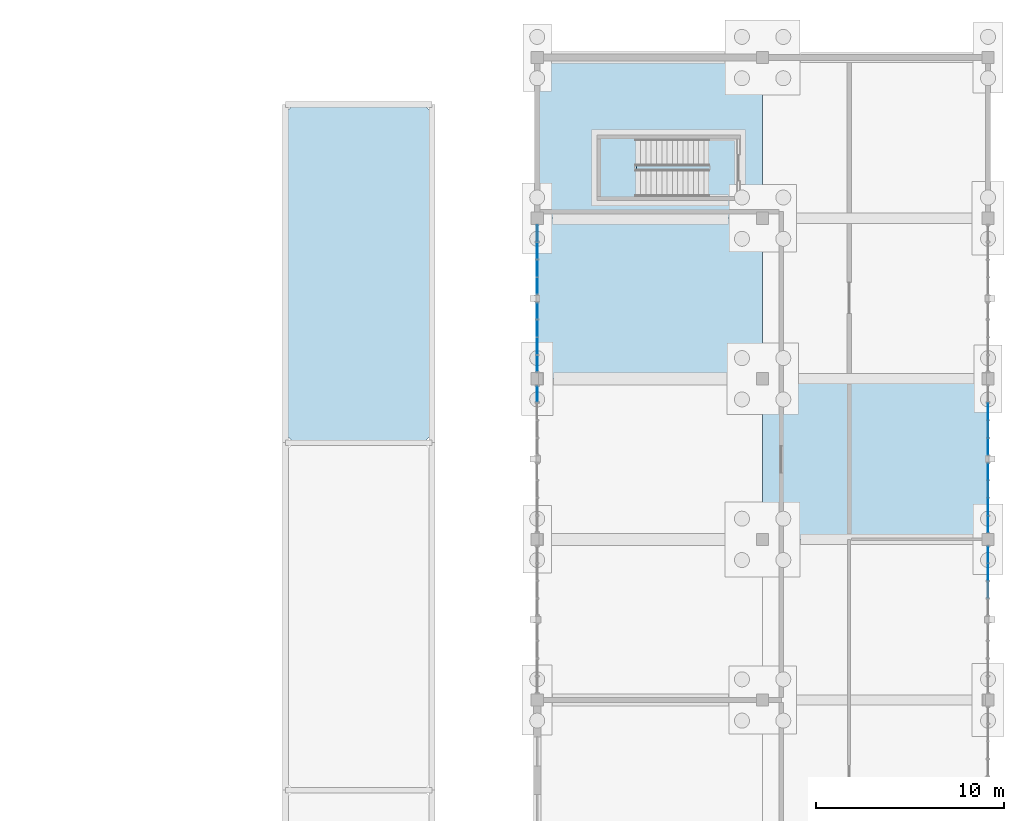
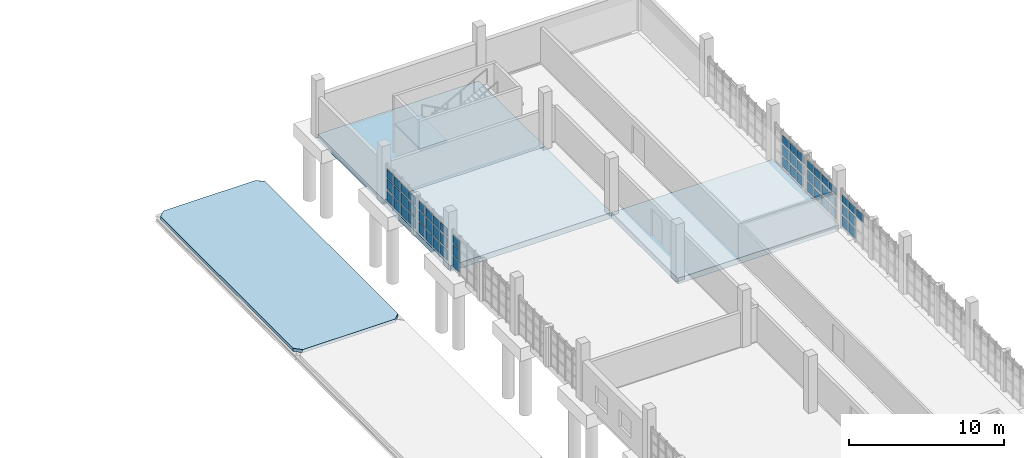
# One storey, part 93 of 125: 55 plates, 5 slabs, 7 elements without a shape of their own.
"""IFC4 building model written with IfcOpenShell, lengths in metres."""

import ifcopenshell
import ifcopenshell.guid

model = None  # the IFC model being written
_history = None  # IfcOwnerHistory: only IFC2X3 demands one
_inside = {}  # id of a spatial element -> (the spatial element, [elements in it])
_under = {}  # id of a project, library or spatial element -> (it, [spatial elements below it])
_declared = {}  # id of a project -> (the project, [libraries it declares])
_typed = {}  # id of a type object -> (the type object, [elements of that type])
_made_of = {}  # id of a material, layer set ... -> (it, [elements and type objects made of it])


def new_model(schema):
    """Start an empty IFC model of exactly this schema.

    Asked for "IFC4X3", IfcOpenShell would pick the latest addendum, in which some entities
    have other attributes; the version numbers below select the first issue.
    IFC2X3 requires an IfcOwnerHistory on every rooted entity: one is made here for all.
    """
    global model, _history
    if schema == "IFC4X3":
        model = ifcopenshell.file(schema_version=(4, 3, 0, 0))
    else:
        model = ifcopenshell.file(schema=schema)
    _inside.clear()
    _under.clear()
    _declared.clear()
    _typed.clear()
    _made_of.clear()
    _history = None
    if model.schema == "IFC2X3":
        org = make("IfcOrganization", Name="unknown")
        user = make(
            "IfcPersonAndOrganization",
            ThePerson=make("IfcPerson", FamilyName="unknown"),
            TheOrganization=org,
        )
        app = make(
            "IfcApplication",
            ApplicationDeveloper=org,
            Version="unknown",
            ApplicationFullName="unknown",
            ApplicationIdentifier="unknown",
        )
        _history = make(
            "IfcOwnerHistory",
            OwningUser=user,
            OwningApplication=app,
            ChangeAction="ADDED",
            CreationDate=0,
        )
    return model


def make(cls, **values):
    """One entity of the class cls with the attributes given. An attribute that is None is left unset."""
    return model.create_entity(
        cls, **{name: value for name, value in values.items() if value is not None}
    )


def rooted(cls, **values):
    """An entity with a GlobalId (a new one), such as an element, a storey or a relation."""
    return make(cls, GlobalId=ifcopenshell.guid.new(), OwnerHistory=_history, **values)


def si_unit(unit_type, name, prefix=None):
    """IfcSIUnit, for example si_unit("LENGTHUNIT", "METRE", prefix="MILLI")."""
    return make("IfcSIUnit", UnitType=unit_type, Prefix=prefix, Name=name)


def assignment(units):
    """IfcUnitAssignment: the units of a project."""
    return None if units is None else make("IfcUnitAssignment", Units=units)


def point(xyz):
    """IfcCartesianPoint."""
    return None if xyz is None else make("IfcCartesianPoint", Coordinates=xyz)


def direction(xyz):
    """IfcDirection."""
    return None if xyz is None else make("IfcDirection", DirectionRatios=xyz)


def frame(location, z_axis=None, x_axis=None):
    """IfcAxis2Placement3D, a coordinate frame: its origin and axes. An axis left out is left unset."""
    return make(
        "IfcAxis2Placement3D",
        Location=point(location),
        Axis=direction(z_axis),
        RefDirection=direction(x_axis),
    )


def frame_2d(location, x_axis=None):
    """IfcAxis2Placement2D, a coordinate frame in the plane: its origin and x axis."""
    return make(
        "IfcAxis2Placement2D", Location=point(location), RefDirection=direction(x_axis)
    )


def origin():
    """The frame at (0, 0, 0) with its axes left unset."""
    return frame((0.0, 0.0, 0.0))


def origin_2d():
    """The frame at (0, 0) in the plane with its x axis left unset."""
    return frame_2d((0.0, 0.0))


def place(relative_to, where):
    """IfcLocalPlacement: puts the frame where relative to a parent placement (None: the world)."""
    return make(
        "IfcLocalPlacement", PlacementRelTo=relative_to, RelativePlacement=where
    )


def context(
    kind, dimensions, precision=None, world=None, true_north=None, identifier=None
):
    """IfcGeometricRepresentationContext, for example the 3D "Model" context."""
    return make(
        "IfcGeometricRepresentationContext",
        ContextIdentifier=identifier,
        ContextType=kind,
        CoordinateSpaceDimension=dimensions,
        Precision=precision,
        WorldCoordinateSystem=world,
        TrueNorth=true_north,
    )


def subcontext(parent, identifier, kind, view, scale=None):
    """IfcGeometricRepresentationSubContext, for example "Body" below "Model"."""
    return make(
        "IfcGeometricRepresentationSubContext",
        ContextIdentifier=identifier,
        ContextType=kind,
        ParentContext=parent,
        TargetScale=scale,
        TargetView=view,
    )


def project(units=None, contexts=None):
    """IfcProject with its units and contexts."""
    return rooted(
        "IfcProject",
        Name="project",
        RepresentationContexts=contexts,
        UnitsInContext=assignment(units),
    )


def spatial(cls, under=None, at=None, **own):
    """A site, building, storey or space (cls), placed at a placement, below another one or the project."""
    s = rooted(cls, ObjectPlacement=at, **own)
    if under is not None:
        _under.setdefault(under.id(), (under, []))[1].append(s)
    return s


def polyline(points):
    """IfcPolyline through the points."""
    return make("IfcPolyline", Points=[point(p) for p in points])


def profile(cls, at=None, kind="AREA", **sizes):
    """A parametric profile (cls). Its sizes go by their IFC names, for example OverallWidth=200.0."""
    return make(cls, ProfileType=kind, Position=at, **sizes)


def rectangle(**sizes):
    """IfcRectangleProfileDef."""
    return profile("IfcRectangleProfileDef", **sizes)


def outline(outer, holes=None, kind="AREA"):
    """IfcArbitraryClosedProfileDef: a profile drawn as a closed curve; with holes, ...WithVoids."""
    if holes is None:
        return make("IfcArbitraryClosedProfileDef", ProfileType=kind, OuterCurve=outer)
    return make(
        "IfcArbitraryProfileDefWithVoids",
        ProfileType=kind,
        OuterCurve=outer,
        InnerCurves=holes,
    )


def extrude(swept, where, along, depth):
    """IfcExtrudedAreaSolid: the profile swept, set in the frame where, extruded along a direction by depth."""
    return make(
        "IfcExtrudedAreaSolid",
        SweptArea=swept,
        Position=where,
        ExtrudedDirection=direction(along),
        Depth=depth,
    )


def shape(context_of_items, identifier, shape_type, items):
    """IfcShapeRepresentation: the items that make up one representation, for example the "Body"."""
    return make(
        "IfcShapeRepresentation",
        ContextOfItems=context_of_items,
        RepresentationIdentifier=identifier,
        RepresentationType=shape_type,
        Items=items,
    )


def material(Name=None, Category=None):
    """IfcMaterial."""
    return make("IfcMaterial", Name=Name, Category=Category)


def layer(
    of_material, thickness, ventilated=None, Name=None, Category=None, Priority=None
):
    """IfcMaterialLayer: one layer of a wall or slab, of a material (None: an air gap)."""
    return make(
        "IfcMaterialLayer",
        Material=of_material,
        LayerThickness=thickness,
        IsVentilated=ventilated,
        Name=Name,
        Category=Category,
        Priority=Priority,
    )


def layer_set(layers, Name=None):
    """IfcMaterialLayerSet."""
    return make("IfcMaterialLayerSet", MaterialLayers=layers, LayerSetName=Name)


def made_of(thing, what):
    """Note that an element or type object is made of a material, layer set ...; save() writes the relation."""
    if what is not None:
        _made_of.setdefault(what.id(), (what, []))[1].append(thing)
    return thing


def type_object(cls, material=None, **own):
    """A type object (cls), such as IfcWallType, which elements share."""
    return made_of(rooted(cls, **own), material)


def element(
    cls,
    number,
    at=None,
    inside=None,
    cuts=None,
    type_object=None,
    material=None,
    context=None,
    identifier="Body",
    shape_type=None,
    held_by="IfcProductDefinitionShape",
    body=None,
    shapes=None,
    **own,
):
    """One element of the class cls, such as IfcWall. Its Tag is "e" and its number.

    at: its placement. inside: the storey or other place that contains it. cuts: it is an
    opening in that element (IfcRelVoidsElement). A single representation is given by context,
    identifier, shape_type and body (its items); several are given by shapes. held_by: the class
    of the entity that holds the representations. save() writes the other relations.
    """
    e = rooted(cls, Tag="e%d" % number, ObjectPlacement=at, **own)
    if body is not None:
        shapes = [shape(context, identifier, shape_type, body)]
    if shapes is not None:
        e.Representation = make(held_by, Representations=shapes)
    if inside is not None:
        _inside.setdefault(inside.id(), (inside, []))[1].append(e)
    if cuts is not None:
        rooted(
            "IfcRelVoidsElement", RelatingBuildingElement=cuts, RelatedOpeningElement=e
        )
    if type_object is not None:
        _typed.setdefault(type_object.id(), (type_object, []))[1].append(e)
    return made_of(e, material)


def aggregate(whole, parts):
    """IfcRelAggregates: a whole, such as a stair, and the parts it consists of."""
    return rooted("IfcRelAggregates", RelatingObject=whole, RelatedObjects=parts)


def save(model, path):
    """Write the relations noted so far, then the file.

    IfcRelAggregates (storeys below a building ...), IfcRelContainedInSpatialStructure (elements
    in a storey), IfcRelDefinesByType, IfcRelAssociatesMaterial and IfcRelDeclares: one each for
    every whole, place, type object, material and project.
    """
    for whole, parts in _under.values():
        aggregate(whole, parts)
    for where, things in _inside.values():
        rooted(
            "IfcRelContainedInSpatialStructure",
            RelatedElements=things,
            RelatingStructure=where,
        )
    for kind, things in _typed.values():
        rooted("IfcRelDefinesByType", RelatedObjects=things, RelatingType=kind)
    for what, things in _made_of.values():
        rooted("IfcRelAssociatesMaterial", RelatedObjects=things, RelatingMaterial=what)
    for by, libraries in _declared.values():
        rooted("IfcRelDeclares", RelatingContext=by, RelatedDefinitions=libraries)
    model.write(path)


model = new_model("IFC4")

# Units and contexts
model_context = context("Model", 3, precision=1e-05, world=origin(), true_north=direction((0.0, 1.0)))
body_context = subcontext(model_context, "Body", "Model", "MODEL_VIEW")
ifc_project = project(units=[si_unit("LENGTHUNIT", "METRE"), si_unit("AREAUNIT", "SQUARE_METRE"), si_unit("VOLUMEUNIT", "CUBIC_METRE"), si_unit("PLANEANGLEUNIT", "RADIAN"), si_unit("MASSUNIT", "GRAM", prefix="KILO")], contexts=[model_context])

# Site, building, storey
site_placement = place(None, origin())
site = spatial("IfcSite", under=ifc_project, at=site_placement, CompositionType="ELEMENT")
building_placement = place(site_placement, origin())
building = spatial("IfcBuilding", under=site, at=building_placement, Name="Serraforn Aerial Cableway Station", CompositionType="ELEMENT")
storey_placement = place(building_placement, frame((0.0, 0.0, 4.5)))
storey = spatial("IfcBuildingStorey", under=building, at=storey_placement, Name="L01", CompositionType="ELEMENT", Elevation=4.5)

# Curtain wall, plate
ifc_material_1 = material(Name="Anodised bronze unitised curtain wall")
curtain_wall_type_1 = type_object("IfcCurtainWallType", Name="CW-SYS-14", PredefinedType="USERDEFINED", material=ifc_material_1)
curtain_wall_1_placement = place(storey_placement, origin())
curtain_wall_1 = element("IfcCurtainWall", 1, at=curtain_wall_1_placement, inside=storey, type_object=curtain_wall_type_1, Name="Unitised Curtain Wall CW-EG-L01-E5B", ObjectType="UNITISED CURTAIN WALL", PredefinedType="USERDEFINED")
ifc_material_2 = material(Name="Solar-control low-E double glazing", Category="glass")
ifc_layer_1 = layer(ifc_material_2, 0.02587890625)
ifc_layer_set_1 = layer_set([ifc_layer_1], Name="Solar-control low-E double glazing")
plate_type_1 = type_object("IfcPlateType", Name="CW-GLZ-1", PredefinedType="CURTAIN_PANEL", material=ifc_layer_set_1)
plate_1_placement = place(storey_placement, frame((168.0, 86.617431640625, 0.177734375), z_axis=(0.0, 0.0, 1.0), x_axis=(1.0, 0.0, 0.0)))
plate_1 = element("IfcPlate", 2, at=plate_1_placement, type_object=plate_type_1, Name="Curtain Wall Panel CW-EG-L01-E5B-P3-1", PredefinedType="CURTAIN_PANEL", context=body_context, shape_type="SweptSolid", body=[
    extrude(rectangle(XDim=0.02587890625, YDim=0.882080078125, at=origin_2d()), origin(), (0.0, 0.0, 1.0), 0.824951171875),
])

curtain_wall_type_2 = type_object("IfcCurtainWallType", Name="CW-SYS-15", PredefinedType="USERDEFINED", material=ifc_material_1)
curtain_wall_2_placement = place(storey_placement, origin())
curtain_wall_2 = element("IfcCurtainWall", 3, at=curtain_wall_2_placement, inside=storey, type_object=curtain_wall_type_2, Name="Unitised Curtain Wall CW-EG-L01-W6A", ObjectType="UNITISED CURTAIN WALL", PredefinedType="USERDEFINED")
plate_2_placement = place(storey_placement, frame((144.0, 96.089111328125, 1.11376953125), z_axis=(0.0, 0.0, 1.0), x_axis=(1.0, 0.0, 0.0)))
plate_2 = element("IfcPlate", 4, at=plate_2_placement, type_object=plate_type_1, Name="Curtain Wall Panel CW-EG-L01-W6A-P1-2", PredefinedType="CURTAIN_PANEL", context=body_context, shape_type="SweptSolid", body=[
    extrude(rectangle(XDim=0.02587890625, YDim=0.839599609375, at=origin_2d()), origin(), (0.0, 0.0, 1.0), 0.824951171875),
])

curtain_wall_type_3 = type_object("IfcCurtainWallType", Name="CW-SYS-19", PredefinedType="USERDEFINED", material=ifc_material_1)
curtain_wall_3_placement = place(storey_placement, origin())
curtain_wall_3 = element("IfcCurtainWall", 5, at=curtain_wall_3_placement, inside=storey, type_object=curtain_wall_type_3, Name="Unitised Curtain Wall CW-EG-L01-W7A", ObjectType="UNITISED CURTAIN WALL", PredefinedType="USERDEFINED")
plate_3_placement = place(storey_placement, frame((144.0, 101.8427734375, 2.06982421875), z_axis=(0.0, 0.0, 1.0), x_axis=(1.0, 0.0, 0.0)))
plate_3 = element("IfcPlate", 6, at=plate_3_placement, type_object=plate_type_1, Name="Curtain Wall Panel CW-EG-L01-W7A-P4-3", PredefinedType="CURTAIN_PANEL", context=body_context, shape_type="SweptSolid", body=[
    extrude(rectangle(XDim=0.02587890625, YDim=0.859619140625, at=origin_2d()), origin(), (0.0, 0.0, 1.0), 0.59521484375),
])

# Curtain wall, plates
curtain_wall_type_4 = type_object("IfcCurtainWallType", Name="CW-SYS-20", PredefinedType="USERDEFINED", material=ifc_material_1)
curtain_wall_4_placement = place(storey_placement, origin())
curtain_wall_4 = element("IfcCurtainWall", 7, at=curtain_wall_4_placement, inside=storey, type_object=curtain_wall_type_4, Name="Unitised Curtain Wall CW-EG-L01-W7B", ObjectType="UNITISED CURTAIN WALL", PredefinedType="USERDEFINED")
plate_4_placement = place(storey_placement, frame((144.0, 98.638916015625, 2.06982421875), z_axis=(0.0, 0.0, 1.0), x_axis=(1.0, 0.0, 0.0)))
plate_4 = element("IfcPlate", 8, at=plate_4_placement, type_object=plate_type_1, Name="Curtain Wall Panel CW-EG-L01-W7B-P3-3", PredefinedType="CURTAIN_PANEL", context=body_context, shape_type="SweptSolid", body=[
    extrude(rectangle(XDim=0.02587890625, YDim=0.889404296875, at=origin_2d()), origin(), (0.0, 0.0, 1.0), 0.59521484375),
])
plate_5_placement = place(storey_placement, frame((144.0, 97.7119140625, 1.1337890625), z_axis=(0.0, 0.0, 1.0), x_axis=(1.0, 0.0, 0.0)))
plate_5 = element("IfcPlate", 9, at=plate_5_placement, type_object=plate_type_1, Name="Curtain Wall Panel CW-EG-L01-W7B-P4-2", PredefinedType="CURTAIN_PANEL", context=body_context, shape_type="SweptSolid", body=[
    extrude(rectangle(XDim=0.02587890625, YDim=0.85205078125, at=origin_2d()), origin(), (0.0, 0.0, 1.0), 0.782470703125),
])

# Plate
ifc_layer_2 = layer(ifc_material_2, 0.028076171875)
ifc_layer_set_2 = layer_set([ifc_layer_2], Name="Solar-control low-E double glazing")
plate_type_2 = type_object("IfcPlateType", Name="CW-GLZ-2", PredefinedType="CURTAIN_PANEL", material=ifc_layer_set_2)
plate_6_placement = place(storey_placement, frame((168.0, 85.668212890625, 2.0546875), z_axis=(0.0, 0.0, 1.0), x_axis=(1.0, 0.0, 0.0)))
plate_6 = element("IfcPlate", 10, at=plate_6_placement, type_object=plate_type_2, Name="Curtain Wall Panel CW-EG-L01-E5B-P2-3", PredefinedType="CURTAIN_PANEL", context=body_context, shape_type="SweptSolid", body=[
    extrude(rectangle(XDim=0.028076171875, YDim=0.87451171875, at=origin_2d()), origin(), (0.0, 0.0, 1.0), 0.625244140625),
])

plate_7_placement = place(storey_placement, frame((168.0, 86.617431640625, 1.118896484375), z_axis=(0.0, 0.0, 1.0), x_axis=(1.0, 0.0, 0.0)))
plate_7 = element("IfcPlate", 11, at=plate_7_placement, type_object=plate_type_2, Name="Curtain Wall Panel CW-EG-L01-E5B-P3-2", PredefinedType="CURTAIN_PANEL", context=body_context, shape_type="SweptSolid", body=[
    extrude(rectangle(XDim=0.028076171875, YDim=0.882080078125, at=origin_2d()), origin(), (0.0, 0.0, 1.0), 0.8125),
])

plate_8_placement = place(storey_placement, frame((168.0, 87.539306640625, 0.182861328125), z_axis=(0.0, 0.0, 1.0), x_axis=(1.0, 0.0, 0.0)))
plate_8 = element("IfcPlate", 12, at=plate_8_placement, type_object=plate_type_2, Name="Curtain Wall Panel CW-EG-L01-E5B-P4-1", PredefinedType="CURTAIN_PANEL", context=body_context, shape_type="SweptSolid", body=[
    extrude(rectangle(XDim=0.028076171875, YDim=0.859619140625, at=origin_2d()), origin(), (0.0, 0.0, 1.0), 0.8125),
])

plate_9_placement = place(storey_placement, frame((144.0, 96.089111328125, 2.0546875), z_axis=(0.0, 0.0, 1.0), x_axis=(1.0, 0.0, 0.0)))
plate_9 = element("IfcPlate", 13, at=plate_9_placement, type_object=plate_type_2, Name="Curtain Wall Panel CW-EG-L01-W6A-P1-3", PredefinedType="CURTAIN_PANEL", context=body_context, shape_type="SweptSolid", body=[
    extrude(rectangle(XDim=0.028076171875, YDim=0.839599609375, at=origin_2d()), origin(), (0.0, 0.0, 1.0), 0.625244140625),
])

# Curtain wall, plate
curtain_wall_type_5 = type_object("IfcCurtainWallType", Name="CW-SYS-17", PredefinedType="USERDEFINED", material=ifc_material_1)
curtain_wall_5_placement = place(storey_placement, origin())
curtain_wall_5 = element("IfcCurtainWall", 14, at=curtain_wall_5_placement, inside=storey, type_object=curtain_wall_type_5, Name="Unitised Curtain Wall CW-EG-L01-E6A", ObjectType="UNITISED CURTAIN WALL", PredefinedType="USERDEFINED")
plate_10_placement = place(storey_placement, frame((168.0, 89.156982421875, 0.182861328125), z_axis=(0.0, 0.0, 1.0), x_axis=(1.0, 0.0, 0.0)))
plate_10 = element("IfcPlate", 15, at=plate_10_placement, type_object=plate_type_2, Name="Curtain Wall Panel CW-EG-L01-E6A-P1-1", PredefinedType="CURTAIN_PANEL", context=body_context, shape_type="SweptSolid", body=[
    extrude(rectangle(XDim=0.028076171875, YDim=0.862060546875, at=origin_2d()), origin(), (0.0, 0.0, 1.0), 0.8125),
])

# Plate
plate_11_placement = place(storey_placement, frame((144.0, 97.7119140625, 2.077392578125), z_axis=(0.0, 0.0, 1.0), x_axis=(1.0, 0.0, 0.0)))
plate_11 = element("IfcPlate", 16, at=plate_11_placement, type_object=plate_type_2, Name="Curtain Wall Panel CW-EG-L01-W7B-P4-3", PredefinedType="CURTAIN_PANEL", context=body_context, shape_type="SweptSolid", body=[
    extrude(rectangle(XDim=0.028076171875, YDim=0.85205078125, at=origin_2d()), origin(), (0.0, 0.0, 1.0), 0.615234375),
])

ifc_layer_3 = layer(ifc_material_2, 0.030029296875)
ifc_layer_set_3 = layer_set([ifc_layer_3], Name="Solar-control low-E double glazing")
plate_type_3 = type_object("IfcPlateType", Name="CW-GLZ-3", PredefinedType="CURTAIN_PANEL", material=ifc_layer_set_3)
plate_12_placement = place(storey_placement, frame((168.0, 86.617431640625, 2.062255859375), z_axis=(0.0, 0.0, 1.0), x_axis=(1.0, 0.0, 0.0)))
plate_12 = element("IfcPlate", 17, at=plate_12_placement, type_object=plate_type_3, Name="Curtain Wall Panel CW-EG-L01-E5B-P3-3", PredefinedType="CURTAIN_PANEL", context=body_context, shape_type="SweptSolid", body=[
    extrude(rectangle(XDim=0.030029296875, YDim=0.882080078125, at=origin_2d()), origin(), (0.0, 0.0, 1.0), 0.6103515625),
])

plate_13_placement = place(storey_placement, frame((168.0, 87.539306640625, 1.12646484375), z_axis=(0.0, 0.0, 1.0), x_axis=(1.0, 0.0, 0.0)))
plate_13 = element("IfcPlate", 18, at=plate_13_placement, type_object=plate_type_3, Name="Curtain Wall Panel CW-EG-L01-E5B-P4-2", PredefinedType="CURTAIN_PANEL", context=body_context, shape_type="SweptSolid", body=[
    extrude(rectangle(XDim=0.030029296875, YDim=0.859619140625, at=origin_2d()), origin(), (0.0, 0.0, 1.0), 0.797607421875),
])

plate_14_placement = place(storey_placement, frame((168.0, 89.156982421875, 1.12646484375), z_axis=(0.0, 0.0, 1.0), x_axis=(1.0, 0.0, 0.0)))
plate_14 = element("IfcPlate", 19, at=plate_14_placement, type_object=plate_type_3, Name="Curtain Wall Panel CW-EG-L01-E6A-P1-2", PredefinedType="CURTAIN_PANEL", context=body_context, shape_type="SweptSolid", body=[
    extrude(rectangle(XDim=0.030029296875, YDim=0.862060546875, at=origin_2d()), origin(), (0.0, 0.0, 1.0), 0.797607421875),
])

plate_15_placement = place(storey_placement, frame((168.0, 90.086181640625, 0.1904296875), z_axis=(0.0, 0.0, 1.0), x_axis=(1.0, 0.0, 0.0)))
plate_15 = element("IfcPlate", 20, at=plate_15_placement, type_object=plate_type_3, Name="Curtain Wall Panel CW-EG-L01-E6A-P2-1", PredefinedType="CURTAIN_PANEL", context=body_context, shape_type="SweptSolid", body=[
    extrude(rectangle(XDim=0.030029296875, YDim=0.884521484375, at=origin_2d()), origin(), (0.0, 0.0, 1.0), 0.797607421875),
])

# Curtain wall, plate
curtain_wall_type_6 = type_object("IfcCurtainWallType", Name="CW-SYS-18", PredefinedType="USERDEFINED", material=ifc_material_1)
curtain_wall_6_placement = place(storey_placement, origin())
curtain_wall_6 = element("IfcCurtainWall", 21, at=curtain_wall_6_placement, inside=storey, type_object=curtain_wall_type_6, Name="Unitised Curtain Wall CW-EG-L01-E6B", ObjectType="UNITISED CURTAIN WALL", PredefinedType="USERDEFINED")
plate_16_placement = place(storey_placement, frame((168.0, 93.290283203125, 0.1904296875), z_axis=(0.0, 0.0, 1.0), x_axis=(1.0, 0.0, 0.0)))
plate_16 = element("IfcPlate", 22, at=plate_16_placement, type_object=plate_type_3, Name="Curtain Wall Panel CW-EG-L01-E6B-P1-1", PredefinedType="CURTAIN_PANEL", context=body_context, shape_type="SweptSolid", body=[
    extrude(rectangle(XDim=0.030029296875, YDim=0.8544921875, at=origin_2d()), origin(), (0.0, 0.0, 1.0), 0.797607421875),
])

# Plate
ifc_layer_4 = layer(ifc_material_2, 0.031982421875)
ifc_layer_set_4 = layer_set([ifc_layer_4], Name="Solar-control low-E double glazing")
plate_type_4 = type_object("IfcPlateType", Name="CW-GLZ-4", PredefinedType="CURTAIN_PANEL", material=ifc_layer_set_4)
plate_17_placement = place(storey_placement, frame((168.0, 87.539306640625, 2.06982421875), z_axis=(0.0, 0.0, 1.0), x_axis=(1.0, 0.0, 0.0)))
plate_17 = element("IfcPlate", 23, at=plate_17_placement, type_object=plate_type_4, Name="Curtain Wall Panel CW-EG-L01-E5B-P4-3", PredefinedType="CURTAIN_PANEL", context=body_context, shape_type="SweptSolid", body=[
    extrude(rectangle(XDim=0.031982421875, YDim=0.859619140625, at=origin_2d()), origin(), (0.0, 0.0, 1.0), 0.59521484375),
])

aggregate(curtain_wall_1, [plate_6, plate_1, plate_7, plate_12, plate_8, plate_13, plate_17])

plate_18_placement = place(storey_placement, frame((168.0, 89.156982421875, 2.06982421875), z_axis=(0.0, 0.0, 1.0), x_axis=(1.0, 0.0, 0.0)))
plate_18 = element("IfcPlate", 24, at=plate_18_placement, type_object=plate_type_4, Name="Curtain Wall Panel CW-EG-L01-E6A-P1-3", PredefinedType="CURTAIN_PANEL", context=body_context, shape_type="SweptSolid", body=[
    extrude(rectangle(XDim=0.031982421875, YDim=0.862060546875, at=origin_2d()), origin(), (0.0, 0.0, 1.0), 0.59521484375),
])

plate_19_placement = place(storey_placement, frame((168.0, 90.086181640625, 1.1337890625), z_axis=(0.0, 0.0, 1.0), x_axis=(1.0, 0.0, 0.0)))
plate_19 = element("IfcPlate", 25, at=plate_19_placement, type_object=plate_type_4, Name="Curtain Wall Panel CW-EG-L01-E6A-P2-2", PredefinedType="CURTAIN_PANEL", context=body_context, shape_type="SweptSolid", body=[
    extrude(rectangle(XDim=0.031982421875, YDim=0.884521484375, at=origin_2d()), origin(), (0.0, 0.0, 1.0), 0.782470703125),
])

plate_20_placement = place(storey_placement, frame((168.0, 91.029296875, 0.19775390625), z_axis=(0.0, 0.0, 1.0), x_axis=(1.0, 0.0, 0.0)))
plate_20 = element("IfcPlate", 26, at=plate_20_placement, type_object=plate_type_4, Name="Curtain Wall Panel CW-EG-L01-E6A-P3-1", PredefinedType="CURTAIN_PANEL", context=body_context, shape_type="SweptSolid", body=[
    extrude(rectangle(XDim=0.031982421875, YDim=0.87939453125, at=origin_2d()), origin(), (0.0, 0.0, 1.0), 0.782470703125),
])

plate_21_placement = place(storey_placement, frame((168.0, 93.290283203125, 1.1337890625), z_axis=(0.0, 0.0, 1.0), x_axis=(1.0, 0.0, 0.0)))
plate_21 = element("IfcPlate", 27, at=plate_21_placement, type_object=plate_type_4, Name="Curtain Wall Panel CW-EG-L01-E6B-P1-2", PredefinedType="CURTAIN_PANEL", context=body_context, shape_type="SweptSolid", body=[
    extrude(rectangle(XDim=0.031982421875, YDim=0.8544921875, at=origin_2d()), origin(), (0.0, 0.0, 1.0), 0.782470703125),
])

plate_22_placement = place(storey_placement, frame((168.0, 94.21826171875, 0.19775390625), z_axis=(0.0, 0.0, 1.0), x_axis=(1.0, 0.0, 0.0)))
plate_22 = element("IfcPlate", 28, at=plate_22_placement, type_object=plate_type_4, Name="Curtain Wall Panel CW-EG-L01-E6B-P2-1", PredefinedType="CURTAIN_PANEL", context=body_context, shape_type="SweptSolid", body=[
    extrude(rectangle(XDim=0.031982421875, YDim=0.87939453125, at=origin_2d()), origin(), (0.0, 0.0, 1.0), 0.782470703125),
])

plate_23_placement = place(storey_placement, frame((144.0, 104.640380859375, 0.19775390625), z_axis=(0.0, 0.0, 1.0), x_axis=(1.0, 0.0, 0.0)))
plate_23 = element("IfcPlate", 29, at=plate_23_placement, type_object=plate_type_4, Name="Curtain Wall Panel CW-EG-L01-W7A-P1-1", PredefinedType="CURTAIN_PANEL", context=body_context, shape_type="SweptSolid", body=[
    extrude(rectangle(XDim=0.031982421875, YDim=0.846923828125, at=origin_2d()), origin(), (0.0, 0.0, 1.0), 0.782470703125),
])

ifc_layer_5 = layer(ifc_material_2, 0.033935546875)
ifc_layer_set_5 = layer_set([ifc_layer_5], Name="Solar-control low-E double glazing")
plate_type_5 = type_object("IfcPlateType", Name="CW-GLZ-5", PredefinedType="CURTAIN_PANEL", material=ifc_layer_set_5)
plate_24_placement = place(storey_placement, frame((168.0, 90.086181640625, 2.077392578125), z_axis=(0.0, 0.0, 1.0), x_axis=(1.0, 0.0, 0.0)))
plate_24 = element("IfcPlate", 30, at=plate_24_placement, type_object=plate_type_5, Name="Curtain Wall Panel CW-EG-L01-E6A-P2-3", PredefinedType="CURTAIN_PANEL", context=body_context, shape_type="SweptSolid", body=[
    extrude(rectangle(XDim=0.033935546875, YDim=0.884521484375, at=origin_2d()), origin(), (0.0, 0.0, 1.0), 0.615234375),
])

plate_25_placement = place(storey_placement, frame((168.0, 91.029296875, 1.14111328125), z_axis=(0.0, 0.0, 1.0), x_axis=(1.0, 0.0, 0.0)))
plate_25 = element("IfcPlate", 31, at=plate_25_placement, type_object=plate_type_5, Name="Curtain Wall Panel CW-EG-L01-E6A-P3-2", PredefinedType="CURTAIN_PANEL", context=body_context, shape_type="SweptSolid", body=[
    extrude(rectangle(XDim=0.033935546875, YDim=0.87939453125, at=origin_2d()), origin(), (0.0, 0.0, 1.0), 0.802490234375),
])

plate_26_placement = place(storey_placement, frame((168.0, 91.95361328125, 0.20556640625), z_axis=(0.0, 0.0, 1.0), x_axis=(1.0, 0.0, 0.0)))
plate_26 = element("IfcPlate", 32, at=plate_26_placement, type_object=plate_type_5, Name="Curtain Wall Panel CW-EG-L01-E6A-P4-1", PredefinedType="CURTAIN_PANEL", context=body_context, shape_type="SweptSolid", body=[
    extrude(rectangle(XDim=0.033935546875, YDim=0.8369140625, at=origin_2d()), origin(), (0.0, 0.0, 1.0), 0.802490234375),
])

plate_27_placement = place(storey_placement, frame((168.0, 93.290283203125, 2.077392578125), z_axis=(0.0, 0.0, 1.0), x_axis=(1.0, 0.0, 0.0)))
plate_27 = element("IfcPlate", 33, at=plate_27_placement, type_object=plate_type_5, Name="Curtain Wall Panel CW-EG-L01-E6B-P1-3", PredefinedType="CURTAIN_PANEL", context=body_context, shape_type="SweptSolid", body=[
    extrude(rectangle(XDim=0.033935546875, YDim=0.8544921875, at=origin_2d()), origin(), (0.0, 0.0, 1.0), 0.615234375),
])

plate_28_placement = place(storey_placement, frame((168.0, 94.21826171875, 1.14111328125), z_axis=(0.0, 0.0, 1.0), x_axis=(1.0, 0.0, 0.0)))
plate_28 = element("IfcPlate", 34, at=plate_28_placement, type_object=plate_type_5, Name="Curtain Wall Panel CW-EG-L01-E6B-P2-2", PredefinedType="CURTAIN_PANEL", context=body_context, shape_type="SweptSolid", body=[
    extrude(rectangle(XDim=0.033935546875, YDim=0.87939453125, at=origin_2d()), origin(), (0.0, 0.0, 1.0), 0.802490234375),
])

plate_29_placement = place(storey_placement, frame((168.0, 95.1611328125, 0.20556640625), z_axis=(0.0, 0.0, 1.0), x_axis=(1.0, 0.0, 0.0)))
plate_29 = element("IfcPlate", 35, at=plate_29_placement, type_object=plate_type_5, Name="Curtain Wall Panel CW-EG-L01-E6B-P3-1", PredefinedType="CURTAIN_PANEL", context=body_context, shape_type="SweptSolid", body=[
    extrude(rectangle(XDim=0.033935546875, YDim=0.87451171875, at=origin_2d()), origin(), (0.0, 0.0, 1.0), 0.802490234375),
])

plate_30_placement = place(storey_placement, frame((144.0, 104.640380859375, 1.14111328125), z_axis=(0.0, 0.0, 1.0), x_axis=(1.0, 0.0, 0.0)))
plate_30 = element("IfcPlate", 36, at=plate_30_placement, type_object=plate_type_5, Name="Curtain Wall Panel CW-EG-L01-W7A-P1-2", PredefinedType="CURTAIN_PANEL", context=body_context, shape_type="SweptSolid", body=[
    extrude(rectangle(XDim=0.033935546875, YDim=0.846923828125, at=origin_2d()), origin(), (0.0, 0.0, 1.0), 0.802490234375),
])

plate_31_placement = place(storey_placement, frame((144.0, 103.7138671875, 0.20556640625), z_axis=(0.0, 0.0, 1.0), x_axis=(1.0, 0.0, 0.0)))
plate_31 = element("IfcPlate", 37, at=plate_31_placement, type_object=plate_type_5, Name="Curtain Wall Panel CW-EG-L01-W7A-P2-1", PredefinedType="CURTAIN_PANEL", context=body_context, shape_type="SweptSolid", body=[
    extrude(rectangle(XDim=0.033935546875, YDim=0.87451171875, at=origin_2d()), origin(), (0.0, 0.0, 1.0), 0.802490234375),
])

plate_32_placement = place(storey_placement, frame((144.0, 100.507080078125, 0.20556640625), z_axis=(0.0, 0.0, 1.0), x_axis=(1.0, 0.0, 0.0)))
plate_32 = element("IfcPlate", 38, at=plate_32_placement, type_object=plate_type_5, Name="Curtain Wall Panel CW-EG-L01-W7B-P1-1", PredefinedType="CURTAIN_PANEL", context=body_context, shape_type="SweptSolid", body=[
    extrude(rectangle(XDim=0.033935546875, YDim=0.839599609375, at=origin_2d()), origin(), (0.0, 0.0, 1.0), 0.802490234375),
])

ifc_layer_6 = layer(ifc_material_2, 0.035888671875)
ifc_layer_set_6 = layer_set([ifc_layer_6], Name="Solar-control low-E double glazing")
plate_type_6 = type_object("IfcPlateType", Name="CW-GLZ-6", PredefinedType="CURTAIN_PANEL", material=ifc_layer_set_6)
plate_33_placement = place(storey_placement, frame((168.0, 91.029296875, 2.0498046875), z_axis=(0.0, 0.0, 1.0), x_axis=(1.0, 0.0, 0.0)))
plate_33 = element("IfcPlate", 39, at=plate_33_placement, type_object=plate_type_6, Name="Curtain Wall Panel CW-EG-L01-E6A-P3-3", PredefinedType="CURTAIN_PANEL", context=body_context, shape_type="SweptSolid", body=[
    extrude(rectangle(XDim=0.035888671875, YDim=0.87939453125, at=origin_2d()), origin(), (0.0, 0.0, 1.0), 0.6376953125),
])

plate_34_placement = place(storey_placement, frame((168.0, 91.95361328125, 1.11376953125), z_axis=(0.0, 0.0, 1.0), x_axis=(1.0, 0.0, 0.0)))
plate_34 = element("IfcPlate", 40, at=plate_34_placement, type_object=plate_type_6, Name="Curtain Wall Panel CW-EG-L01-E6A-P4-2", PredefinedType="CURTAIN_PANEL", context=body_context, shape_type="SweptSolid", body=[
    extrude(rectangle(XDim=0.035888671875, YDim=0.8369140625, at=origin_2d()), origin(), (0.0, 0.0, 1.0), 0.824951171875),
])

plate_35_placement = place(storey_placement, frame((168.0, 94.21826171875, 2.0498046875), z_axis=(0.0, 0.0, 1.0), x_axis=(1.0, 0.0, 0.0)))
plate_35 = element("IfcPlate", 41, at=plate_35_placement, type_object=plate_type_6, Name="Curtain Wall Panel CW-EG-L01-E6B-P2-3", PredefinedType="CURTAIN_PANEL", context=body_context, shape_type="SweptSolid", body=[
    extrude(rectangle(XDim=0.035888671875, YDim=0.87939453125, at=origin_2d()), origin(), (0.0, 0.0, 1.0), 0.6376953125),
])

plate_36_placement = place(storey_placement, frame((168.0, 95.1611328125, 1.11376953125), z_axis=(0.0, 0.0, 1.0), x_axis=(1.0, 0.0, 0.0)))
plate_36 = element("IfcPlate", 42, at=plate_36_placement, type_object=plate_type_6, Name="Curtain Wall Panel CW-EG-L01-E6B-P3-2", PredefinedType="CURTAIN_PANEL", context=body_context, shape_type="SweptSolid", body=[
    extrude(rectangle(XDim=0.035888671875, YDim=0.87451171875, at=origin_2d()), origin(), (0.0, 0.0, 1.0), 0.824951171875),
])

plate_37_placement = place(storey_placement, frame((144.0, 104.640380859375, 2.0498046875), z_axis=(0.0, 0.0, 1.0), x_axis=(1.0, 0.0, 0.0)))
plate_37 = element("IfcPlate", 43, at=plate_37_placement, type_object=plate_type_6, Name="Curtain Wall Panel CW-EG-L01-W7A-P1-3", PredefinedType="CURTAIN_PANEL", context=body_context, shape_type="SweptSolid", body=[
    extrude(rectangle(XDim=0.035888671875, YDim=0.846923828125, at=origin_2d()), origin(), (0.0, 0.0, 1.0), 0.6376953125),
])

plate_38_placement = place(storey_placement, frame((144.0, 103.7138671875, 1.11376953125), z_axis=(0.0, 0.0, 1.0), x_axis=(1.0, 0.0, 0.0)))
plate_38 = element("IfcPlate", 44, at=plate_38_placement, type_object=plate_type_6, Name="Curtain Wall Panel CW-EG-L01-W7A-P2-2", PredefinedType="CURTAIN_PANEL", context=body_context, shape_type="SweptSolid", body=[
    extrude(rectangle(XDim=0.035888671875, YDim=0.87451171875, at=origin_2d()), origin(), (0.0, 0.0, 1.0), 0.824951171875),
])

plate_39_placement = place(storey_placement, frame((144.0, 102.764404296875, 0.177734375), z_axis=(0.0, 0.0, 1.0), x_axis=(1.0, 0.0, 0.0)))
plate_39 = element("IfcPlate", 45, at=plate_39_placement, type_object=plate_type_6, Name="Curtain Wall Panel CW-EG-L01-W7A-P3-1", PredefinedType="CURTAIN_PANEL", context=body_context, shape_type="SweptSolid", body=[
    extrude(rectangle(XDim=0.035888671875, YDim=0.882080078125, at=origin_2d()), origin(), (0.0, 0.0, 1.0), 0.824951171875),
])

plate_40_placement = place(storey_placement, frame((144.0, 100.507080078125, 1.11376953125), z_axis=(0.0, 0.0, 1.0), x_axis=(1.0, 0.0, 0.0)))
plate_40 = element("IfcPlate", 46, at=plate_40_placement, type_object=plate_type_6, Name="Curtain Wall Panel CW-EG-L01-W7B-P1-2", PredefinedType="CURTAIN_PANEL", context=body_context, shape_type="SweptSolid", body=[
    extrude(rectangle(XDim=0.035888671875, YDim=0.839599609375, at=origin_2d()), origin(), (0.0, 0.0, 1.0), 0.824951171875),
])

plate_41_placement = place(storey_placement, frame((144.0, 99.575439453125, 0.177734375), z_axis=(0.0, 0.0, 1.0), x_axis=(1.0, 0.0, 0.0)))
plate_41 = element("IfcPlate", 47, at=plate_41_placement, type_object=plate_type_6, Name="Curtain Wall Panel CW-EG-L01-W7B-P2-1", PredefinedType="CURTAIN_PANEL", context=body_context, shape_type="SweptSolid", body=[
    extrude(rectangle(XDim=0.035888671875, YDim=0.882080078125, at=origin_2d()), origin(), (0.0, 0.0, 1.0), 0.824951171875),
])

ifc_layer_7 = layer(ifc_material_2, 0.029052734375)
ifc_layer_set_7 = layer_set([ifc_layer_7], Name="Solar-control low-E double glazing")
plate_type_7 = type_object("IfcPlateType", Name="CW-GLZ-7", PredefinedType="CURTAIN_PANEL", material=ifc_layer_set_7)
plate_42_placement = place(storey_placement, frame((168.0, 91.95361328125, 2.0546875), z_axis=(0.0, 0.0, 1.0), x_axis=(1.0, 0.0, 0.0)))
plate_42 = element("IfcPlate", 48, at=plate_42_placement, type_object=plate_type_7, Name="Curtain Wall Panel CW-EG-L01-E6A-P4-3", PredefinedType="CURTAIN_PANEL", context=body_context, shape_type="SweptSolid", body=[
    extrude(rectangle(XDim=0.029052734375, YDim=0.8369140625, at=origin_2d()), origin(), (0.0, 0.0, 1.0), 0.625244140625),
])

aggregate(curtain_wall_5, [plate_10, plate_14, plate_18, plate_15, plate_19, plate_24, plate_20, plate_25, plate_33, plate_26, plate_34, plate_42])

plate_43_placement = place(storey_placement, frame((168.0, 95.1611328125, 2.0546875), z_axis=(0.0, 0.0, 1.0), x_axis=(1.0, 0.0, 0.0)))
plate_43 = element("IfcPlate", 49, at=plate_43_placement, type_object=plate_type_7, Name="Curtain Wall Panel CW-EG-L01-E6B-P3-3", PredefinedType="CURTAIN_PANEL", context=body_context, shape_type="SweptSolid", body=[
    extrude(rectangle(XDim=0.029052734375, YDim=0.87451171875, at=origin_2d()), origin(), (0.0, 0.0, 1.0), 0.625244140625),
])

aggregate(curtain_wall_6, [plate_16, plate_21, plate_27, plate_22, plate_28, plate_35, plate_29, plate_36, plate_43])

plate_44_placement = place(storey_placement, frame((144.0, 103.7138671875, 2.0546875), z_axis=(0.0, 0.0, 1.0), x_axis=(1.0, 0.0, 0.0)))
plate_44 = element("IfcPlate", 50, at=plate_44_placement, type_object=plate_type_7, Name="Curtain Wall Panel CW-EG-L01-W7A-P2-3", PredefinedType="CURTAIN_PANEL", context=body_context, shape_type="SweptSolid", body=[
    extrude(rectangle(XDim=0.029052734375, YDim=0.87451171875, at=origin_2d()), origin(), (0.0, 0.0, 1.0), 0.625244140625),
])

plate_45_placement = place(storey_placement, frame((144.0, 102.764404296875, 1.118896484375), z_axis=(0.0, 0.0, 1.0), x_axis=(1.0, 0.0, 0.0)))
plate_45 = element("IfcPlate", 51, at=plate_45_placement, type_object=plate_type_7, Name="Curtain Wall Panel CW-EG-L01-W7A-P3-2", PredefinedType="CURTAIN_PANEL", context=body_context, shape_type="SweptSolid", body=[
    extrude(rectangle(XDim=0.029052734375, YDim=0.882080078125, at=origin_2d()), origin(), (0.0, 0.0, 1.0), 0.8125),
])

plate_46_placement = place(storey_placement, frame((144.0, 101.8427734375, 0.182861328125), z_axis=(0.0, 0.0, 1.0), x_axis=(1.0, 0.0, 0.0)))
plate_46 = element("IfcPlate", 52, at=plate_46_placement, type_object=plate_type_7, Name="Curtain Wall Panel CW-EG-L01-W7A-P4-1", PredefinedType="CURTAIN_PANEL", context=body_context, shape_type="SweptSolid", body=[
    extrude(rectangle(XDim=0.029052734375, YDim=0.859619140625, at=origin_2d()), origin(), (0.0, 0.0, 1.0), 0.8125),
])

plate_47_placement = place(storey_placement, frame((144.0, 100.507080078125, 2.0546875), z_axis=(0.0, 0.0, 1.0), x_axis=(1.0, 0.0, 0.0)))
plate_47 = element("IfcPlate", 53, at=plate_47_placement, type_object=plate_type_7, Name="Curtain Wall Panel CW-EG-L01-W7B-P1-3", PredefinedType="CURTAIN_PANEL", context=body_context, shape_type="SweptSolid", body=[
    extrude(rectangle(XDim=0.029052734375, YDim=0.839599609375, at=origin_2d()), origin(), (0.0, 0.0, 1.0), 0.625244140625),
])

plate_48_placement = place(storey_placement, frame((144.0, 99.575439453125, 1.118896484375), z_axis=(0.0, 0.0, 1.0), x_axis=(1.0, 0.0, 0.0)))
plate_48 = element("IfcPlate", 54, at=plate_48_placement, type_object=plate_type_7, Name="Curtain Wall Panel CW-EG-L01-W7B-P2-2", PredefinedType="CURTAIN_PANEL", context=body_context, shape_type="SweptSolid", body=[
    extrude(rectangle(XDim=0.029052734375, YDim=0.882080078125, at=origin_2d()), origin(), (0.0, 0.0, 1.0), 0.8125),
])

plate_49_placement = place(storey_placement, frame((144.0, 98.638916015625, 0.182861328125), z_axis=(0.0, 0.0, 1.0), x_axis=(1.0, 0.0, 0.0)))
plate_49 = element("IfcPlate", 55, at=plate_49_placement, type_object=plate_type_7, Name="Curtain Wall Panel CW-EG-L01-W7B-P3-1", PredefinedType="CURTAIN_PANEL", context=body_context, shape_type="SweptSolid", body=[
    extrude(rectangle(XDim=0.029052734375, YDim=0.889404296875, at=origin_2d()), origin(), (0.0, 0.0, 1.0), 0.8125),
])

ifc_layer_8 = layer(ifc_material_2, 0.031005859375)
ifc_layer_set_8 = layer_set([ifc_layer_8], Name="Solar-control low-E double glazing")
plate_type_8 = type_object("IfcPlateType", Name="CW-GLZ-8", PredefinedType="CURTAIN_PANEL", material=ifc_layer_set_8)
plate_50_placement = place(storey_placement, frame((144.0, 96.089111328125, 0.20556640625), z_axis=(0.0, 0.0, 1.0), x_axis=(1.0, 0.0, 0.0)))
plate_50 = element("IfcPlate", 56, at=plate_50_placement, type_object=plate_type_8, Name="Curtain Wall Panel CW-EG-L01-W6A-P1-1", PredefinedType="CURTAIN_PANEL", context=body_context, shape_type="SweptSolid", body=[
    extrude(rectangle(XDim=0.031005859375, YDim=0.839599609375, at=origin_2d()), origin(), (0.0, 0.0, 1.0), 0.802490234375),
])

aggregate(curtain_wall_2, [plate_50, plate_2, plate_9])

plate_51_placement = place(storey_placement, frame((144.0, 102.764404296875, 2.062255859375), z_axis=(0.0, 0.0, 1.0), x_axis=(1.0, 0.0, 0.0)))
plate_51 = element("IfcPlate", 57, at=plate_51_placement, type_object=plate_type_8, Name="Curtain Wall Panel CW-EG-L01-W7A-P3-3", PredefinedType="CURTAIN_PANEL", context=body_context, shape_type="SweptSolid", body=[
    extrude(rectangle(XDim=0.031005859375, YDim=0.882080078125, at=origin_2d()), origin(), (0.0, 0.0, 1.0), 0.6103515625),
])

plate_52_placement = place(storey_placement, frame((144.0, 101.8427734375, 1.12646484375), z_axis=(0.0, 0.0, 1.0), x_axis=(1.0, 0.0, 0.0)))
plate_52 = element("IfcPlate", 58, at=plate_52_placement, type_object=plate_type_8, Name="Curtain Wall Panel CW-EG-L01-W7A-P4-2", PredefinedType="CURTAIN_PANEL", context=body_context, shape_type="SweptSolid", body=[
    extrude(rectangle(XDim=0.031005859375, YDim=0.859619140625, at=origin_2d()), origin(), (0.0, 0.0, 1.0), 0.797607421875),
])

aggregate(curtain_wall_3, [plate_23, plate_30, plate_37, plate_31, plate_38, plate_44, plate_39, plate_45, plate_51, plate_46, plate_52, plate_3])

plate_53_placement = place(storey_placement, frame((144.0, 99.575439453125, 2.062255859375), z_axis=(0.0, 0.0, 1.0), x_axis=(1.0, 0.0, 0.0)))
plate_53 = element("IfcPlate", 59, at=plate_53_placement, type_object=plate_type_8, Name="Curtain Wall Panel CW-EG-L01-W7B-P2-3", PredefinedType="CURTAIN_PANEL", context=body_context, shape_type="SweptSolid", body=[
    extrude(rectangle(XDim=0.031005859375, YDim=0.882080078125, at=origin_2d()), origin(), (0.0, 0.0, 1.0), 0.6103515625),
])

plate_54_placement = place(storey_placement, frame((144.0, 98.638916015625, 1.12646484375), z_axis=(0.0, 0.0, 1.0), x_axis=(1.0, 0.0, 0.0)))
plate_54 = element("IfcPlate", 60, at=plate_54_placement, type_object=plate_type_8, Name="Curtain Wall Panel CW-EG-L01-W7B-P3-2", PredefinedType="CURTAIN_PANEL", context=body_context, shape_type="SweptSolid", body=[
    extrude(rectangle(XDim=0.031005859375, YDim=0.889404296875, at=origin_2d()), origin(), (0.0, 0.0, 1.0), 0.797607421875),
])

plate_55_placement = place(storey_placement, frame((144.0, 97.7119140625, 0.1904296875), z_axis=(0.0, 0.0, 1.0), x_axis=(1.0, 0.0, 0.0)))
plate_55 = element("IfcPlate", 61, at=plate_55_placement, type_object=plate_type_8, Name="Curtain Wall Panel CW-EG-L01-W7B-P4-1", PredefinedType="CURTAIN_PANEL", context=body_context, shape_type="SweptSolid", body=[
    extrude(rectangle(XDim=0.031005859375, YDim=0.85205078125, at=origin_2d()), origin(), (0.0, 0.0, 1.0), 0.797607421875),
])

aggregate(curtain_wall_4, [plate_32, plate_40, plate_47, plate_41, plate_48, plate_53, plate_49, plate_54, plate_4, plate_55, plate_5, plate_11])

# Slabs
ifc_material_3 = material(Name="Concrete C40/50", Category="concrete")
ifc_layer_9 = layer(ifc_material_3, 0.449951171875)
ifc_layer_set_9 = layer_set([ifc_layer_9], Name="Concrete C40/50")
slab_type_1 = type_object("IfcSlabType", Name="SLB-BASE-450", PredefinedType="BASESLAB", material=ifc_layer_set_9)
slab_1_placement = place(storey_placement, frame((0.0, 0.0, -0.449951171875)))
element("IfcSlab", 62, at=slab_1_placement, inside=storey, type_object=slab_type_1, Name="Floor Slab EG-L01-1-7", PredefinedType="BASESLAB", context=body_context, shape_type="SweptSolid", body=[
    extrude(outline(polyline([(144.0, 96.89990234375), (156.0, 96.89990234375), (156.0, 105.449951171875), (144.0, 105.449951171875), (144.0, 96.89990234375)])), origin(), (0.0, 0.0, 1.0), 0.449951171875),
])
slab_2_placement = place(storey_placement, frame((0.0, 0.0, -0.449951171875)))
element("IfcSlab", 63, at=slab_2_placement, inside=storey, type_object=slab_type_1, Name="Floor Slab EG-L01-1-8", PredefinedType="BASESLAB", context=body_context, shape_type="SweptSolid", body=[
    extrude(outline(polyline([(144.0, 105.449951171875), (156.0, 105.449951171875), (156.0, 114.0), (144.0, 114.0), (144.0, 105.449951171875)])), origin(), (0.0, 0.0, 1.0), 0.449951171875),
])
slab_3_placement = place(storey_placement, frame((0.0, 0.0, -0.449951171875)))
element("IfcSlab", 64, at=slab_3_placement, inside=storey, type_object=slab_type_1, Name="Floor Slab EG-L01-2-6", PredefinedType="BASESLAB", context=body_context, shape_type="SweptSolid", body=[
    extrude(outline(polyline([(156.0, 88.35009765625), (168.0, 88.35009765625), (168.0, 96.89990234375), (156.0, 96.89990234375), (156.0, 88.35009765625)])), origin(), (0.0, 0.0, 1.0), 0.449951171875),
])

# Stair, slab
ifc_material_4 = material(Name="Concrete C35/45", Category="concrete")
stair_type = type_object("IfcStairType", Name="STR-DL-3", PredefinedType="HALF_TURN_STAIR", material=ifc_material_4)
stair_placement = place(storey_placement, origin())
stair = element("IfcStair", 65, at=stair_placement, inside=storey, type_object=stair_type, Name="L01 Fleet Garage North Exit Stair 11", PredefinedType="HALF_TURN_STAIR")
ifc_layer_10 = layer(ifc_material_4, 0.159912109375)
ifc_layer_set_10 = layer_set([ifc_layer_10], Name="Concrete C35/45")
slab_type_2 = type_object("IfcSlabType", Name="SLB-LND-160", PredefinedType="LANDING", material=ifc_layer_set_10)
slab_4_placement = place(storey_placement, frame((0.0, 0.0, 2.090087890625)))
slab_4 = element("IfcSlab", 66, at=slab_4_placement, type_object=slab_type_2, Name="ST-11 landing 1", PredefinedType="LANDING", context=body_context, shape_type="SweptSolid", body=[
    extrude(outline(polyline([(149.280029296875, 109.780029296875), (147.280029296875, 109.780029296875), (147.280029296875, 106.47998046875), (149.280029296875, 106.47998046875), (149.280029296875, 109.780029296875)])), origin(), (0.0, 0.0, 1.0), 0.159912109375),
])
aggregate(stair, [slab_4])

# Slab
ifc_layer_11 = layer(ifc_material_4, 0.25)
ifc_layer_set_11 = layer_set([ifc_layer_11], Name="Concrete C35/45")
slab_type_3 = type_object("IfcSlabType", Name="SLB-ROOF-250", PredefinedType="ROOF", material=ifc_layer_set_11)
slab_5_placement = place(storey_placement, frame((0.0, 0.0, -0.25)))
element("IfcSlab", 67, at=slab_5_placement, inside=storey, type_object=slab_type_3, Name="Colonnade Canopy Roof E-1-3", PredefinedType="ROOF", context=body_context, shape_type="SweptSolid", body=[
    extrude(outline(polyline([(131.050048828125, 93.5), (137.949951171875, 93.5), (138.39990234375, 93.949951171875), (138.39990234375, 111.050048828125), (137.949951171875, 111.5), (131.050048828125, 111.5), (130.60009765625, 111.050048828125), (130.60009765625, 93.949951171875), (131.050048828125, 93.5)])), origin(), (0.0, 0.0, 1.0), 0.25),
])

save(model, "model.ifc")
